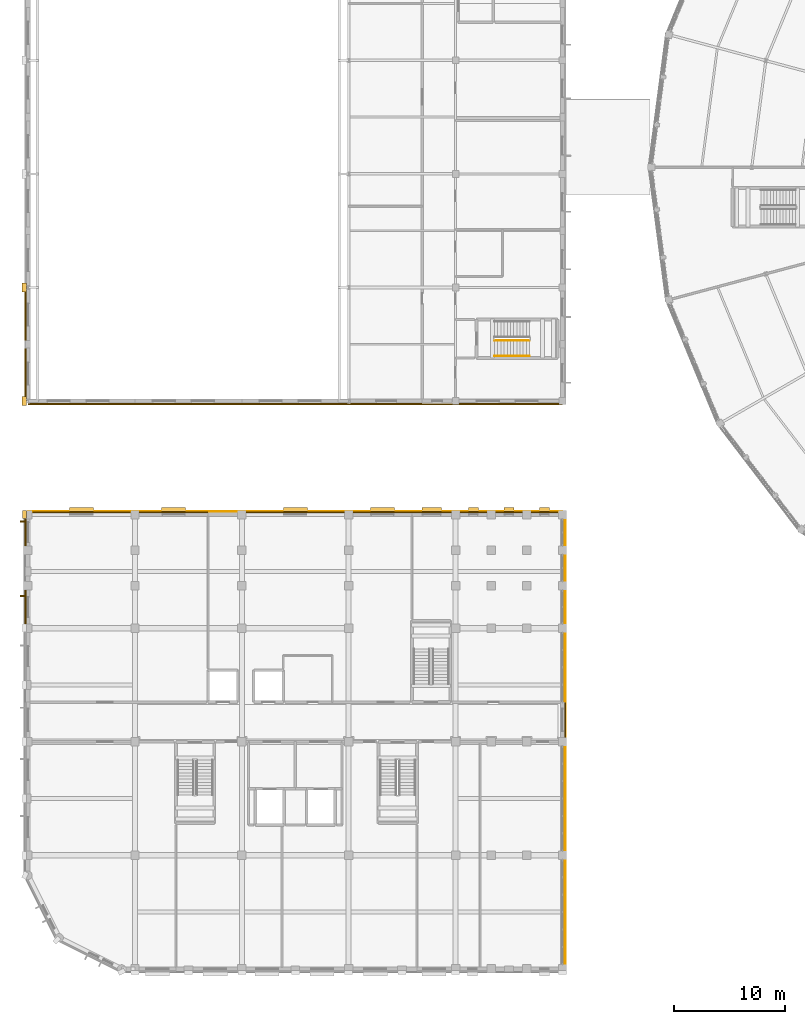
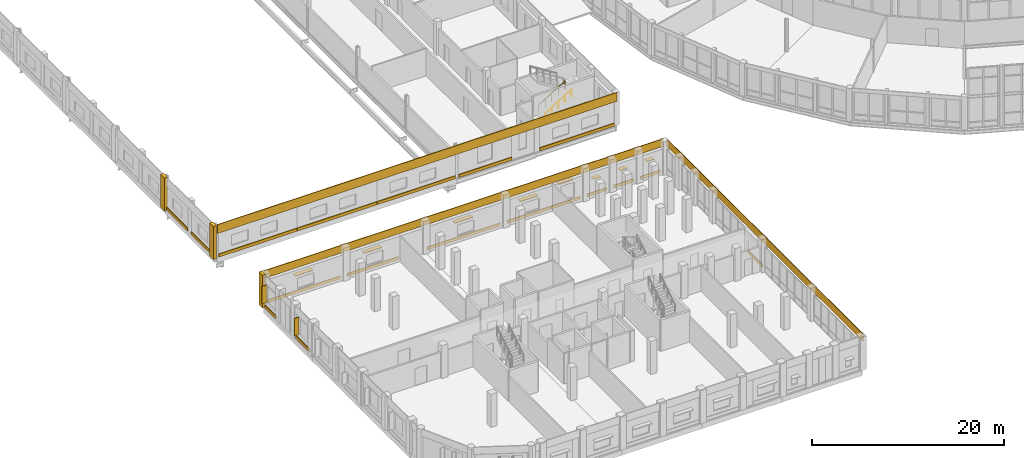
# One storey, part 156 of 170: 24 coverings, 10 shading devices, 2 railings.
"""IFC4 building model written with IfcOpenShell, lengths in metres."""

from ifc_helpers import new_model, si_unit, direction, frame, origin, origin_2d, place, context, subcontext, project, spatial, rectangle, circle, extrude, material, layer, layer_set, type_object, element, save


model = new_model("IFC4")

# Units and contexts
model_context = context("Model", 3, precision=1e-05, world=origin(), true_north=direction((0.0, 1.0)))
body_context = subcontext(model_context, "Body", "Model", "MODEL_VIEW")
ifc_project = project(units=[si_unit("LENGTHUNIT", "METRE"), si_unit("AREAUNIT", "SQUARE_METRE"), si_unit("VOLUMEUNIT", "CUBIC_METRE"), si_unit("PLANEANGLEUNIT", "RADIAN"), si_unit("MASSUNIT", "GRAM", prefix="KILO")], contexts=[model_context])

# Site, building, storey
site_placement = place(None, origin())
site = spatial("IfcSite", under=ifc_project, at=site_placement, CompositionType="ELEMENT")
building_placement = place(site_placement, origin())
building = spatial("IfcBuilding", under=site, at=building_placement, Name="Vondelvale Polytechnic", CompositionType="ELEMENT")
storey_placement = place(building_placement, frame((0.0, 0.0, 5.39990234375)))
storey = spatial("IfcBuildingStorey", under=building, at=storey_placement, Name="L01", CompositionType="ELEMENT", Elevation=5.39990234375)

# Coverings
ifc_material_1 = material(Name="Malmsbury bluestone ashlar stone masonry", Category="masonry")
ifc_layer_1 = layer(ifc_material_1, 0.080078125)
ifc_layer_set_1 = layer_set([ifc_layer_1], Name="COV-BLUESTONE-PLINTH")
covering_type_1 = type_object("IfcCoveringType", Name="COV-BLUESTONE-PLINTH", PredefinedType="CLADDING", material=ifc_layer_set_1)
covering_1_placement = place(storey_placement, frame((48.260009765625, 20.39990234375, 3.240234375), z_axis=(0.0, 0.0, 1.0), x_axis=(0.0, 1.0, 0.0)))
element("IfcCovering", 1, at=covering_1_placement, inside=storey, type_object=covering_type_1, Name="L01 exterior masonry spandrel band", PredefinedType="CLADDING", context=body_context, shape_type="SweptSolid", body=[
    extrude(rectangle(XDim=40.800048828125, YDim=0.080078125, at=origin_2d()), origin(), (0.0, 0.0, 1.0), 0.9599609375),
])
covering_2_placement = place(storey_placement, frame((24.0, 41.06005859375, 3.240234375), z_axis=(0.0, 0.0, 1.0), x_axis=(1.0, 0.0, 0.0)))
element("IfcCovering", 2, at=covering_2_placement, inside=storey, type_object=covering_type_1, Name="L01 exterior masonry spandrel band", PredefinedType="CLADDING", context=body_context, shape_type="SweptSolid", body=[
    extrude(rectangle(XDim=48.0, YDim=0.080078125, at=origin_2d()), origin(), (0.0, 0.0, 1.0), 0.9599609375),
])
ifc_material_2 = material(Name="Amsterdam School iron-spot clinker clay brickwork", Category="masonry")
ifc_layer_2 = layer(ifc_material_2, 0.090087890625)
ifc_layer_set_2 = layer_set([ifc_layer_2], Name="COV-BRICK-RELIEF")
covering_type_2 = type_object("IfcCoveringType", Name="COV-BRICK-RELIEF", PredefinedType="CLADDING", material=ifc_layer_set_2)
covering_3_placement = place(storey_placement, frame((24.0, 50.735107421875, 3.080078125), z_axis=(0.0, 0.0, 1.0), x_axis=(1.0, 0.0, 0.0)))
element("IfcCovering", 3, at=covering_3_placement, inside=storey, type_object=covering_type_2, Name="L01 exterior masonry spandrel band", PredefinedType="CLADDING", context=body_context, shape_type="SweptSolid", body=[
    extrude(rectangle(XDim=48.0, YDim=0.090087890625, at=origin_2d()), origin(), (0.0, 0.0, 1.0), 1.1201171875),
])
for number, where, z_axis, x_axis, name in (
    (4, (-0.23095703125, 53.456787109375, 0.000244140625), (0.0, 0.0, 1.0), (0.0, 1.0, 0.0), "L01 exterior corbelled masonry relief band"),
    (5, (-0.23095703125, 58.743408203125, 0.000244140625), (0.0, 0.0, 1.0), (0.0, 1.0, 0.0), "L01 exterior corbelled masonry relief band"),
):
    element("IfcCovering", number, at=place(storey_placement, frame(where, z_axis=z_axis, x_axis=x_axis)), inside=storey, type_object=covering_type_2, Name=name, PredefinedType="CLADDING", context=body_context, shape_type="SweptSolid", body=[
        extrude(rectangle(XDim=4.5244140625, YDim=0.090087890625, at=origin_2d()), origin(), (0.0, 0.0, 1.0), 0.3798828125),
    ])
covering_4_placement = place(storey_placement, frame((4.882080078125, 50.76904296875, 0.000244140625), z_axis=(0.0, 0.0, 1.0), x_axis=(-1.0, 0.0, 0.0)))
element("IfcCovering", 6, at=covering_4_placement, inside=storey, type_object=covering_type_2, Name="L01 exterior corbelled masonry relief band", PredefinedType="CLADDING", context=body_context, shape_type="SweptSolid", body=[
    extrude(rectangle(XDim=9.37548828125, YDim=0.090087890625, at=origin_2d()), origin(), (0.0, 0.0, 1.0), 0.3798828125),
])
covering_5_placement = place(storey_placement, frame((14.39990234375, 50.76904296875, 0.000244140625), z_axis=(0.0, 0.0, 1.0), x_axis=(-1.0, 0.0, 0.0)))
element("IfcCovering", 7, at=covering_5_placement, inside=storey, type_object=covering_type_2, Name="L01 exterior corbelled masonry relief band", PredefinedType="CLADDING", context=body_context, shape_type="SweptSolid", body=[
    extrude(rectangle(XDim=9.5400390625, YDim=0.090087890625, at=origin_2d()), origin(), (0.0, 0.0, 1.0), 0.3798828125),
])
covering_6_placement = place(storey_placement, frame((23.917724609375, 50.76904296875, 0.000244140625), z_axis=(0.0, 0.0, 1.0), x_axis=(-1.0, 0.0, 0.0)))
element("IfcCovering", 8, at=covering_6_placement, inside=storey, type_object=covering_type_2, Name="L01 exterior corbelled masonry relief band", PredefinedType="CLADDING", context=body_context, shape_type="SweptSolid", body=[
    extrude(rectangle(XDim=9.37548828125, YDim=0.090087890625, at=origin_2d()), origin(), (0.0, 0.0, 1.0), 0.3798828125),
])
covering_7_placement = place(storey_placement, frame((32.18212890625, 50.76904296875, 0.000244140625), z_axis=(0.0, 0.0, 1.0), x_axis=(-1.0, 0.0, 0.0)))
element("IfcCovering", 9, at=covering_7_placement, inside=storey, type_object=covering_type_2, Name="L01 exterior corbelled masonry relief band", PredefinedType="CLADDING", context=body_context, shape_type="SweptSolid", body=[
    extrude(rectangle(XDim=6.37548828125, YDim=0.090087890625, at=origin_2d()), origin(), (0.0, 0.0, 1.0), 0.3798828125),
])
covering_8_placement = place(storey_placement, frame((43.199951171875, 50.76904296875, 0.000244140625), z_axis=(0.0, 0.0, 1.0), x_axis=(-1.0, 0.0, 0.0)))
element("IfcCovering", 10, at=covering_8_placement, inside=storey, type_object=covering_type_2, Name="L01 exterior corbelled masonry relief band", PredefinedType="CLADDING", context=body_context, shape_type="SweptSolid", body=[
    extrude(rectangle(XDim=8.93798828125, YDim=0.090087890625, at=origin_2d()), origin(), (0.0, 0.0, 1.0), 0.3798828125),
])
covering_9_placement = place(storey_placement, frame((-0.23095703125, 32.5, 0.000244140625), z_axis=(0.0, 0.0, 1.0), x_axis=(0.0, 1.0, 0.0)))
element("IfcCovering", 11, at=covering_9_placement, inside=storey, type_object=covering_type_2, Name="L01 exterior corbelled masonry relief band", PredefinedType="CLADDING", context=body_context, shape_type="SweptSolid", body=[
    extrude(rectangle(XDim=2.988037109375, YDim=0.090087890625, at=origin_2d()), origin(), (0.0, 0.0, 1.0), 0.3798828125),
])
covering_10_placement = place(storey_placement, frame((-0.23095703125, 39.199951171875, 0.000244140625), z_axis=(0.0, 0.0, 1.0), x_axis=(0.0, 1.0, 0.0)))
element("IfcCovering", 12, at=covering_10_placement, inside=storey, type_object=covering_type_2, Name="L01 exterior corbelled masonry relief band", PredefinedType="CLADDING", context=body_context, shape_type="SweptSolid", body=[
    extrude(rectangle(XDim=2.387939453125, YDim=0.090087890625, at=origin_2d()), origin(), (0.0, 0.0, 1.0), 0.3798828125),
])
covering_11_placement = place(storey_placement, frame((48.23095703125, 22.363037109375, 0.000244140625), z_axis=(0.0, 0.0, 1.0), x_axis=(0.0, -1.0, 0.0)))
element("IfcCovering", 13, at=covering_11_placement, inside=storey, type_object=covering_type_2, Name="L01 exterior corbelled masonry relief band", PredefinedType="CLADDING", context=body_context, shape_type="SweptSolid", body=[
    extrude(rectangle(XDim=3.114013671875, YDim=0.090087890625, at=origin_2d()), origin(), (0.0, 0.0, 1.0), 0.3798828125),
])
covering_12_placement = place(storey_placement, frame((4.800048828125, 41.031005859375, 0.000244140625), z_axis=(0.0, 0.0, 1.0), x_axis=(1.0, 0.0, 0.0)))
element("IfcCovering", 14, at=covering_12_placement, inside=storey, type_object=covering_type_2, Name="L01 exterior corbelled masonry relief band", PredefinedType="CLADDING", context=body_context, shape_type="SweptSolid", body=[
    extrude(rectangle(XDim=8.7880859375, YDim=0.090087890625, at=origin_2d()), origin(), (0.0, 0.0, 1.0), 0.3798828125),
])
covering_13_placement = place(storey_placement, frame((13.075439453125, 41.031005859375, 0.000244140625), z_axis=(0.0, 0.0, 1.0), x_axis=(1.0, 0.0, 0.0)))
element("IfcCovering", 15, at=covering_13_placement, inside=storey, type_object=covering_type_2, Name="L01 exterior corbelled masonry relief band", PredefinedType="CLADDING", context=body_context, shape_type="SweptSolid", body=[
    extrude(rectangle(XDim=6.138916015625, YDim=0.090087890625, at=origin_2d()), origin(), (0.0, 0.0, 1.0), 0.3798828125),
])
covering_14_placement = place(storey_placement, frame((24.0, 41.031005859375, 0.000244140625), z_axis=(0.0, 0.0, 1.0), x_axis=(1.0, 0.0, 0.0)))
element("IfcCovering", 16, at=covering_14_placement, inside=storey, type_object=covering_type_2, Name="L01 exterior corbelled masonry relief band", PredefinedType="CLADDING", context=body_context, shape_type="SweptSolid", body=[
    extrude(rectangle(XDim=8.7880859375, YDim=0.090087890625, at=origin_2d()), origin(), (0.0, 0.0, 1.0), 0.3798828125),
])
covering_15_placement = place(storey_placement, frame((31.825439453125, 41.031005859375, 0.000244140625), z_axis=(0.0, 0.0, 1.0), x_axis=(1.0, 0.0, 0.0)))
element("IfcCovering", 17, at=covering_15_placement, inside=storey, type_object=covering_type_2, Name="L01 exterior corbelled masonry relief band", PredefinedType="CLADDING", context=body_context, shape_type="SweptSolid", body=[
    extrude(rectangle(XDim=5.239013671875, YDim=0.090087890625, at=origin_2d()), origin(), (0.0, 0.0, 1.0), 0.3798828125),
])
covering_16_placement = place(storey_placement, frame((36.24951171875, 41.031005859375, 0.000244140625), z_axis=(0.0, 0.0, 1.0), x_axis=(1.0, 0.0, 0.0)))
element("IfcCovering", 18, at=covering_16_placement, inside=storey, type_object=covering_type_2, Name="L01 exterior corbelled masonry relief band", PredefinedType="CLADDING", context=body_context, shape_type="SweptSolid", body=[
    extrude(rectangle(XDim=3.489013671875, YDim=0.090087890625, at=origin_2d()), origin(), (0.0, 0.0, 1.0), 0.3798828125),
])
for number, where, z_axis, x_axis, name in (
    (19, (40.0, 41.031005859375, 0.000244140625), (0.0, 0.0, 1.0), (1.0, 0.0, 0.0), "L01 exterior corbelled masonry relief band"),
    (20, (43.199951171875, 41.031005859375, 0.000244140625), (0.0, 0.0, 1.0), (1.0, 0.0, 0.0), "L01 exterior corbelled masonry relief band"),
    (21, (46.39990234375, 41.031005859375, 0.000244140625), (0.0, 0.0, 1.0), (1.0, 0.0, 0.0), "L01 exterior corbelled masonry relief band"),
):
    element("IfcCovering", number, at=place(storey_placement, frame(where, z_axis=z_axis, x_axis=x_axis)), inside=storey, type_object=covering_type_2, Name=name, PredefinedType="CLADDING", context=body_context, shape_type="SweptSolid", body=[
        extrude(rectangle(XDim=2.387939453125, YDim=0.090087890625, at=origin_2d()), origin(), (0.0, 0.0, 1.0), 0.3798828125),
    ])
covering_17_placement = place(storey_placement, frame((-0.340087890625, 40.800048828125, 0.0), z_axis=(0.0, 0.0, 1.0), x_axis=(1.0, 0.0, 0.0)))
element("IfcCovering", 22, at=covering_17_placement, inside=storey, type_object=covering_type_2, Name="L01 Classical street pilaster", PredefinedType="CLADDING", context=body_context, shape_type="SweptSolid", body=[
    extrude(rectangle(XDim=0.360107421875, YDim=0.719970703125, at=origin_2d()), origin(), (0.0, 0.0, 1.0), 4.199951171875),
])
for number, where, z_axis, x_axis, name in (
    (23, (-0.340087890625, 51.0, 0.0), (0.0, 0.0, 1.0), (1.0, 0.0, 0.0), "L01 Workshop giant-order brick buttress pier"),
    (24, (-0.340087890625, 61.199951171875, 0.0), (0.0, 0.0, 1.0), (1.0, 0.0, 0.0), "L01 Workshop giant-order brick buttress pier"),
):
    element("IfcCovering", number, at=place(storey_placement, frame(where, z_axis=z_axis, x_axis=x_axis)), inside=storey, type_object=covering_type_2, Name=name, PredefinedType="CLADDING", context=body_context, shape_type="SweptSolid", body=[
        extrude(rectangle(XDim=0.39990234375, YDim=0.780029296875, at=origin_2d()), origin(), (0.0, 0.0, 1.0), 4.199951171875),
    ])

# Railings
ifc_material_3 = material(Name="Brushed architectural stainless and zinc-coated metal")
ifc_layer_3 = layer(ifc_material_3, 0.050048828125)
ifc_layer_set_3 = layer_set([ifc_layer_3], Name="RL-STAIR-GUARD")
railing_type_1 = type_object("IfcRailingType", Name="RL-STAIR-GUARD", PredefinedType="GUARDRAIL", material=ifc_layer_set_3)
railing_1_placement = place(storey_placement, frame((41.89990234375, 56.449951171875, 0.175048828125)))
element("IfcRailing", 25, at=railing_1_placement, inside=storey, type_object=railing_type_1, Name="L01 ST-01 stair guard 1", PredefinedType="GUARDRAIL", context=body_context, shape_type="SweptSolid", body=[
    extrude(circle(Radius=0.02392578125, at=origin_2d()), frame((0.0, 0.0, 1.076171875), z_axis=(0.852166034122, 0.0, 0.523271488128), x_axis=(0.0, 1.0, 0.0)), (0.0, 0.0, 1.0), 3.678955078125),
    extrude(circle(Radius=0.02099609375, at=origin_2d()), origin(), (0.0, 0.0, 1.0), 1.052001953125),
    extrude(circle(Radius=0.02099609375, at=origin_2d()), frame((0.78369140625, 0.0, 0.481201171875)), (0.0, 0.0, 1.0), 1.052001953125),
    extrude(circle(Radius=0.02099609375, at=origin_2d()), frame((1.5673828125, 0.0, 0.96240234375)), (0.0, 0.0, 1.0), 1.052001953125),
    extrude(circle(Radius=0.02099609375, at=origin_2d()), frame((2.351318359375, 0.0, 1.44384765625)), (0.0, 0.0, 1.0), 1.052001953125),
    extrude(circle(Radius=0.02099609375, at=origin_2d()), frame((3.135009765625, 0.0, 1.925048828125)), (0.0, 0.0, 1.0), 1.052001953125),
])
ifc_layer_4 = layer(ifc_material_3, 0.048095703125)
ifc_layer_set_4 = layer_set([ifc_layer_4], Name="RL-STAIR-HANDRAIL")
railing_type_2 = type_object("IfcRailingType", Name="RL-STAIR-HANDRAIL", PredefinedType="HANDRAIL", material=ifc_layer_set_4)
railing_2_placement = place(storey_placement, frame((41.89990234375, 55.050048828125, 0.175048828125)))
element("IfcRailing", 26, at=railing_2_placement, inside=storey, type_object=railing_type_2, Name="L01 ST-01 stair handrail 1", PredefinedType="HANDRAIL", context=body_context, shape_type="SweptSolid", body=[
    extrude(circle(Radius=0.02392578125, at=origin_2d()), frame((0.0, 0.0, 0.8759765625), z_axis=(0.852166034122, 0.0, 0.523271488128), x_axis=(0.0, 1.0, 0.0)), (0.0, 0.0, 1.0), 3.678955078125),
    extrude(circle(Radius=0.02099609375, at=origin_2d()), origin(), (0.0, 0.0, 1.0), 0.851806640625),
    extrude(circle(Radius=0.02099609375, at=origin_2d()), frame((0.78369140625, 0.0, 0.481201171875)), (0.0, 0.0, 1.0), 0.851806640625),
    extrude(circle(Radius=0.02099609375, at=origin_2d()), frame((1.5673828125, 0.0, 0.96240234375)), (0.0, 0.0, 1.0), 0.851806640625),
    extrude(circle(Radius=0.02099609375, at=origin_2d()), frame((2.351318359375, 0.0, 1.44384765625)), (0.0, 0.0, 1.0), 0.851806640625),
    extrude(circle(Radius=0.02099609375, at=origin_2d()), frame((3.135009765625, 0.0, 1.925048828125)), (0.0, 0.0, 1.0), 0.851806640625),
])

# Shading devices
ifc_material_4 = material(Name="Anodised extruded aluminium 6063-T6", Category="aluminium")
shading_device_type_1 = type_object("IfcShadingDeviceType", Name="SHD-BRONZE-LOUVRE", PredefinedType="SHUTTER", material=ifc_material_4)
for number, where, z_axis, x_axis, name in (
    (27, (4.800048828125, 41.215087890625, 2.20751953125), (0.0, 0.0, 1.0), (1.0, 0.0, 0.0), "L01 horizontal bronze sun-louvre overhang"),
    (28, (13.075439453125, 41.215087890625, 2.20751953125), (0.0, 0.0, 1.0), (1.0, 0.0, 0.0), "L01 horizontal bronze sun-louvre overhang"),
    (29, (24.0, 41.215087890625, 2.20751953125), (0.0, 0.0, 1.0), (1.0, 0.0, 0.0), "L01 horizontal bronze sun-louvre overhang"),
    (30, (31.825439453125, 41.215087890625, 2.20751953125), (0.0, 0.0, 1.0), (1.0, 0.0, 0.0), "L01 horizontal bronze sun-louvre overhang"),
):
    element("IfcShadingDevice", number, at=place(storey_placement, frame(where, z_axis=z_axis, x_axis=x_axis)), inside=storey, type_object=shading_device_type_1, Name=name, PredefinedType="SHUTTER", context=body_context, shape_type="SweptSolid", body=[
        extrude(rectangle(XDim=2.159912109375, YDim=0.47998046875, at=origin_2d()), origin(), (0.0, 0.0, 1.0), 0.0849609375),
    ])
shading_device_placement = place(storey_placement, frame((36.24951171875, 41.215087890625, 2.757568359375), z_axis=(0.0, 0.0, 1.0), x_axis=(1.0, 0.0, 0.0)))
element("IfcShadingDevice", 31, at=shading_device_placement, inside=storey, type_object=shading_device_type_1, Name="L01 horizontal bronze sun-louvre overhang", PredefinedType="SHUTTER", context=body_context, shape_type="SweptSolid", body=[
    extrude(rectangle(XDim=1.760009765625, YDim=0.47998046875, at=origin_2d()), origin(), (0.0, 0.0, 1.0), 0.0849609375),
])
for number, where, z_axis, x_axis, name in (
    (32, (40.0, 41.215087890625, 1.95751953125), (0.0, 0.0, 1.0), (1.0, 0.0, 0.0), "L01 horizontal bronze sun-louvre overhang"),
    (33, (43.199951171875, 41.215087890625, 1.95751953125), (0.0, 0.0, 1.0), (1.0, 0.0, 0.0), "L01 horizontal bronze sun-louvre overhang"),
    (34, (46.39990234375, 41.215087890625, 1.95751953125), (0.0, 0.0, 1.0), (1.0, 0.0, 0.0), "L01 horizontal bronze sun-louvre overhang"),
):
    element("IfcShadingDevice", number, at=place(storey_placement, frame(where, z_axis=z_axis, x_axis=x_axis)), inside=storey, type_object=shading_device_type_1, Name=name, PredefinedType="SHUTTER", context=body_context, shape_type="SweptSolid", body=[
        extrude(rectangle(XDim=0.909912109375, YDim=0.47998046875, at=origin_2d()), origin(), (0.0, 0.0, 1.0), 0.0849609375),
    ])
ifc_material_5 = material(Name="Kiln-fired architectural terracotta", Category="masonry")
shading_device_type_2 = type_object("IfcShadingDeviceType", Name="SHD-TERRA-FIN-550", PredefinedType="JALOUSIE", material=ifc_material_5)
for number, where, z_axis, x_axis, name in (
    (35, (-0.449951171875, 33.489990234375, 0.7900390625), (0.0, 0.0, 1.0), (0.0, 1.0, 0.0), "L01 vertical terracotta solar fin"),
    (36, (-0.449951171875, 40.18994140625, 0.7900390625), (0.0, 0.0, 1.0), (0.0, 1.0, 0.0), "L01 vertical terracotta solar fin"),
):
    element("IfcShadingDevice", number, at=place(storey_placement, frame(where, z_axis=z_axis, x_axis=x_axis)), inside=storey, type_object=shading_device_type_2, Name=name, PredefinedType="JALOUSIE", context=body_context, shape_type="SweptSolid", body=[
        extrude(rectangle(XDim=0.110107421875, YDim=0.550048828125, at=origin_2d()), origin(), (0.0, 0.0, 1.0), 2.219970703125),
    ])

save(model, "model.ifc")
